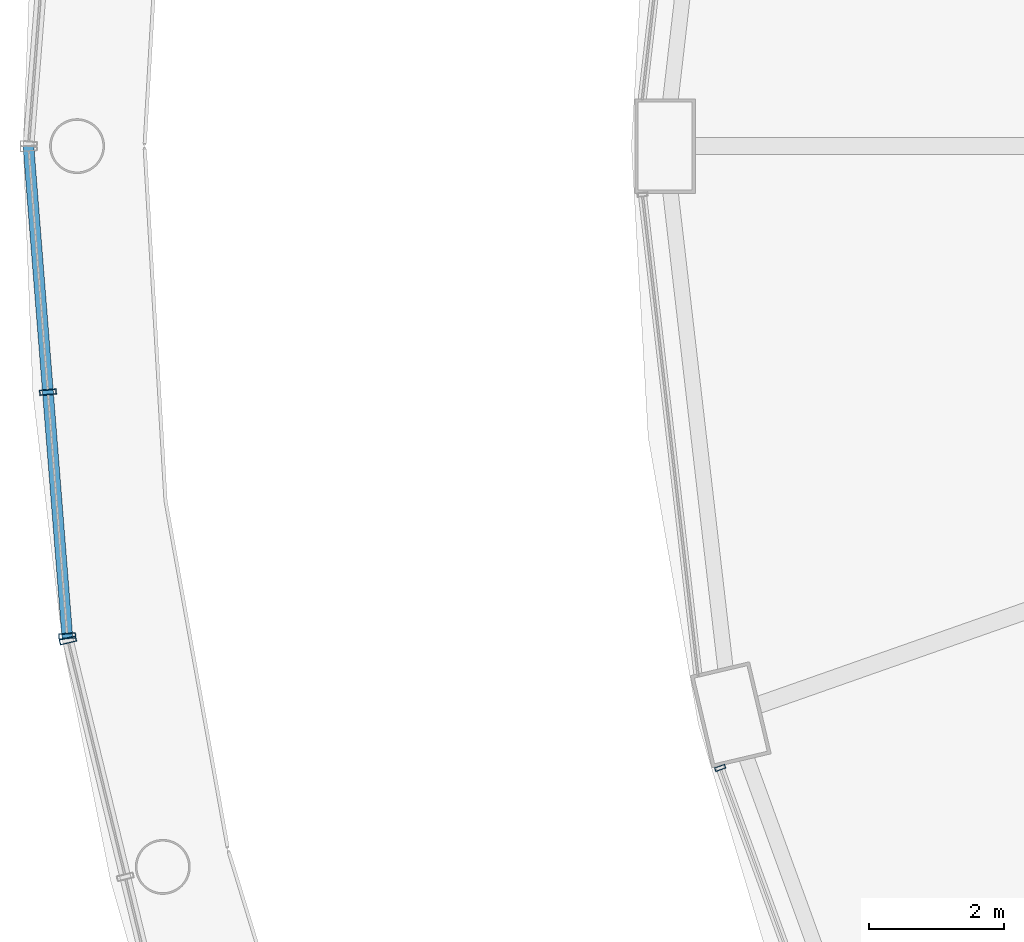
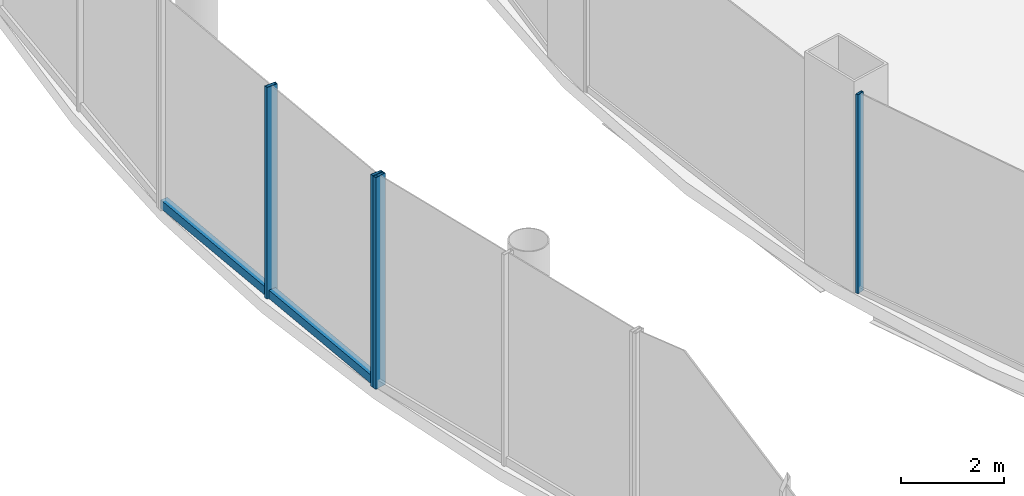
# One storey, part 16 of 47: 5 members, 3 elements without a shape of their own.
"""IFC4 building model written with IfcOpenShell, lengths in metres."""

from ifc_helpers import new_model, si_unit, direction, frame, origin, origin_2d, place, context, subcontext, project, spatial, hollow_rectangle, extrude, material, layer, layer_set, material_profile, profile_set, type_object, element, aggregate, save


model = new_model("IFC4")

# Units and contexts
model_context = context("Model", 3, precision=1e-05, world=origin(), true_north=direction((0.0, 1.0)))
body_context = subcontext(model_context, "Body", "Model", "MODEL_VIEW")
ifc_project = project(units=[si_unit("LENGTHUNIT", "METRE"), si_unit("AREAUNIT", "SQUARE_METRE"), si_unit("VOLUMEUNIT", "CUBIC_METRE"), si_unit("PLANEANGLEUNIT", "RADIAN"), si_unit("MASSUNIT", "GRAM", prefix="KILO")], contexts=[model_context])

# Site, building, storey
site_placement = place(None, origin())
site = spatial("IfcSite", under=ifc_project, at=site_placement, CompositionType="ELEMENT")
building_placement = place(site_placement, origin())
building = spatial("IfcBuilding", under=site, at=building_placement, Name="Nagisa Residences", CompositionType="ELEMENT")
storey_placement = place(building_placement, frame((0.0, 0.0, 7.0)))
storey = spatial("IfcBuildingStorey", under=building, at=storey_placement, Name="L01", CompositionType="ELEMENT", Elevation=7.0)

# Curtain wall, members
ifc_material_1 = material(Name="Stainless steel curtain wall system", Category="steel")
ifc_layer_1 = layer(ifc_material_1, 0.159912109375)
ifc_layer_set_1 = layer_set([ifc_layer_1], Name="CW3 CURTAIN WALL")
curtain_wall_type_1 = type_object("IfcCurtainWallType", Name="CW3 CURTAIN WALL", PredefinedType="NOTDEFINED", material=ifc_layer_set_1)
curtain_wall_1_placement = place(storey_placement, origin())
curtain_wall_1 = element("IfcCurtainWall", 1, at=curtain_wall_1_placement, inside=storey, type_object=curtain_wall_type_1, Name="cw:CW3:L01:18", PredefinedType="NOTDEFINED")
ifc_material_2 = material(Name="Stainless steel", Category="steel")
ifc_material_profile_1 = material_profile(ifc_material_2, hollow_rectangle(XDim=0.25, YDim=0.080078125, WallThickness=0.008056640625, at=origin_2d()), Name="CW3 MULLION 250x80")
ifc_profile_set_1 = profile_set([ifc_material_profile_1], Name="Stainless steel")
member_type_1 = type_object("IfcMemberType", Name="CW3 MULLION 250x80", PredefinedType="MULLION", material=ifc_profile_set_1)
member_1_placement = place(storey_placement, frame((-34.031494140625, -3.640380859375, 0.0), z_axis=(0.0, 0.0, 1.0), x_axis=(0.996881777235, 0.078909582539, 0.0)))
member_1 = element("IfcMember", 2, at=member_1_placement, type_object=member_type_1, Name="CW3 mullion", PredefinedType="MULLION", context=body_context, shape_type="SweptSolid", body=[
    extrude(hollow_rectangle(XDim=0.25, YDim=0.080078125, WallThickness=0.008056640625, at=origin_2d()), origin(), (0.0, 0.0, 1.0), 5.0),
])
member_2_placement = place(storey_placement, frame((-33.74609375, -7.2470703125, 0.0), z_axis=(0.0, 0.0, 1.0), x_axis=(0.996881777235, 0.078909582539, 0.0)))
member_2 = element("IfcMember", 3, at=member_2_placement, type_object=member_type_1, Name="CW3 mullion", PredefinedType="MULLION", context=body_context, shape_type="SweptSolid", body=[
    extrude(hollow_rectangle(XDim=0.25, YDim=0.080078125, WallThickness=0.008056640625, at=origin_2d()), origin(), (0.0, 0.0, 1.0), 5.0),
])

# Curtain wall, member
curtain_wall_2_placement = place(storey_placement, origin())
curtain_wall_2 = element("IfcCurtainWall", 4, at=curtain_wall_2_placement, inside=storey, type_object=curtain_wall_type_1, Name="cw:CW3:L01:19", PredefinedType="NOTDEFINED")
member_3_placement = place(storey_placement, frame((-33.735595703125, -7.313232421875, 0.0), z_axis=(0.0, 0.0, 1.0), x_axis=(0.971848775146, 0.235605514043, 0.0)))
member_3 = element("IfcMember", 5, at=member_3_placement, type_object=member_type_1, Name="CW3 mullion", PredefinedType="MULLION", context=body_context, shape_type="SweptSolid", body=[
    extrude(hollow_rectangle(XDim=0.25, YDim=0.080078125, WallThickness=0.008056640625, at=origin_2d()), origin(), (0.0, 0.0, 1.0), 5.0),
])
aggregate(curtain_wall_2, [member_3])

# Member
ifc_material_3 = material(Name="Stainless steel", Category="steel")
ifc_material_profile_2 = material_profile(ifc_material_3, hollow_rectangle(XDim=0.159912109375, YDim=0.199951171875, WallThickness=0.008056640625, at=origin_2d()), Name="CW3 TRANSOM 160x200")
ifc_profile_set_2 = profile_set([ifc_material_profile_2], Name="Stainless steel")
member_type_2 = type_object("IfcMemberType", Name="CW3 TRANSOM 160x200", PredefinedType="USERDEFINED", material=ifc_profile_set_2)
member_4_placement = place(storey_placement, frame((-34.3203125, 0.00634765625, 0.10009765625), z_axis=(0.078921540002, -0.996880830653, 0.0), x_axis=(0.996880830653, 0.078921540002, 0.0)))
member_4 = element("IfcMember", 6, at=member_4_placement, type_object=member_type_2, Name="CW3 transom", ObjectType="TRANSOM", PredefinedType="USERDEFINED", context=body_context, shape_type="SweptSolid", body=[
    extrude(hollow_rectangle(XDim=0.159912109375, YDim=0.199951171875, WallThickness=0.008056640625, at=origin_2d()), origin(), (0.0, 0.0, 1.0), 7.31591796875),
])

aggregate(curtain_wall_1, [member_1, member_2, member_4])

# Curtain wall, member
ifc_material_4 = material(Name="Stainless steel curtain wall system", Category="steel")
ifc_layer_2 = layer(ifc_material_4, 0.159912109375)
ifc_layer_set_2 = layer_set([ifc_layer_2], Name="CW6 CURTAIN WALL")
curtain_wall_type_2 = type_object("IfcCurtainWallType", Name="CW6 CURTAIN WALL", PredefinedType="NOTDEFINED", material=ifc_layer_set_2)
curtain_wall_3_placement = place(storey_placement, origin())
curtain_wall_3 = element("IfcCurtainWall", 7, at=curtain_wall_3_placement, inside=storey, type_object=curtain_wall_type_2, Name="cw:CW6:L01:26", PredefinedType="NOTDEFINED")
ifc_material_5 = material(Name="Stainless steel", Category="steel")
ifc_material_profile_3 = material_profile(ifc_material_5, hollow_rectangle(XDim=0.159912109375, YDim=0.06005859375, WallThickness=0.006103515625, at=origin_2d()), Name="CW6 MULLION 160x60")
ifc_profile_set_3 = profile_set([ifc_material_profile_3], Name="Stainless steel")
member_type_3 = type_object("IfcMemberType", Name="CW6 MULLION 160x60", PredefinedType="MULLION", material=ifc_profile_set_3)
member_5_placement = place(storey_placement, frame((-24.0869140625, -9.19970703125, 0.0), z_axis=(0.0, 0.0, 1.0), x_axis=(0.939681861718, 0.342049702176, 0.0)))
member_5 = element("IfcMember", 8, at=member_5_placement, type_object=member_type_3, Name="CW6 mullion", PredefinedType="MULLION", context=body_context, shape_type="SweptSolid", body=[
    extrude(hollow_rectangle(XDim=0.159912109375, YDim=0.06005859375, WallThickness=0.006103515625, at=origin_2d()), origin(), (0.0, 0.0, 1.0), 4.699951171875),
])
aggregate(curtain_wall_3, [member_5])

save(model, "model.ifc")
